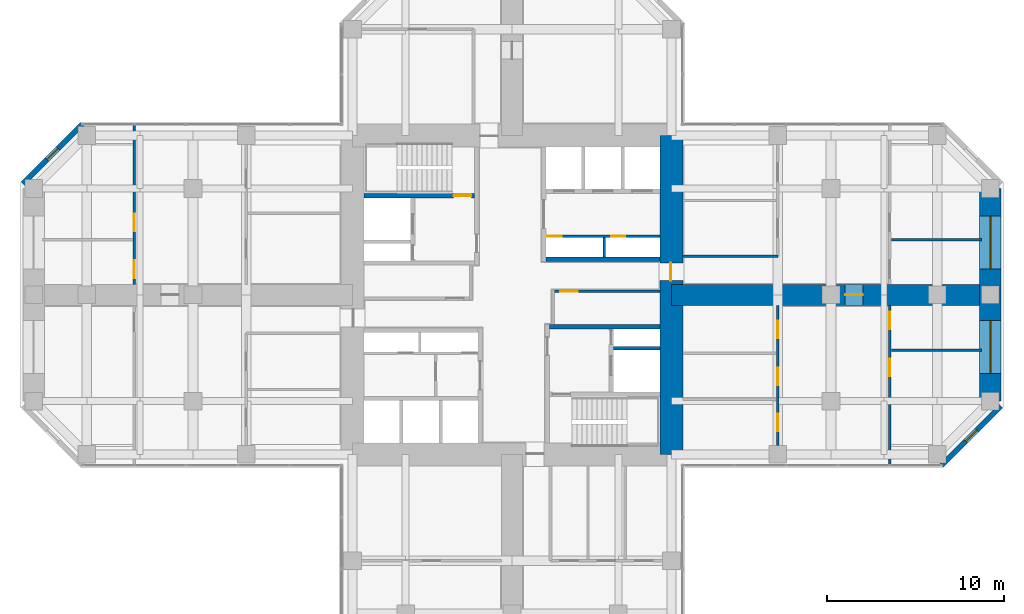
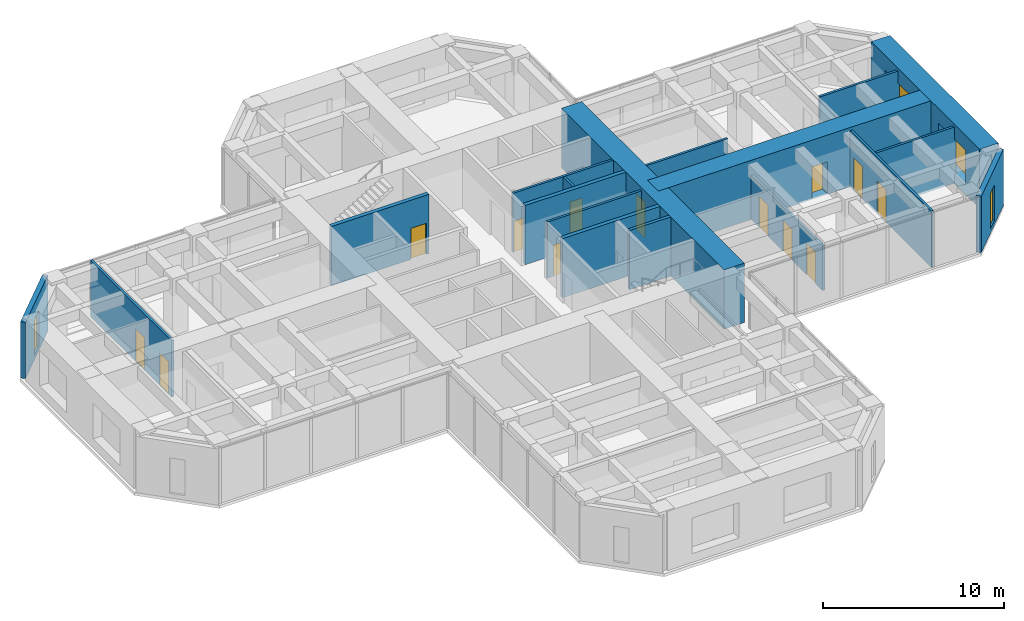
# One storey, part 10 of 13: 18 walls, 13 doors, 4 windows, 17 openings.
"""IFC4 building model written with IfcOpenShell, lengths in metres."""

import ifcopenshell
import ifcopenshell.guid

model = None  # the IFC model being written
_history = None  # IfcOwnerHistory: only IFC2X3 demands one
_inside = {}  # id of a spatial element -> (the spatial element, [elements in it])
_under = {}  # id of a project, library or spatial element -> (it, [spatial elements below it])
_declared = {}  # id of a project -> (the project, [libraries it declares])
_typed = {}  # id of a type object -> (the type object, [elements of that type])
_made_of = {}  # id of a material, layer set ... -> (it, [elements and type objects made of it])


def new_model(schema):
    """Start an empty IFC model of exactly this schema.

    Asked for "IFC4X3", IfcOpenShell would pick the latest addendum, in which some entities
    have other attributes; the version numbers below select the first issue.
    IFC2X3 requires an IfcOwnerHistory on every rooted entity: one is made here for all.
    """
    global model, _history
    if schema == "IFC4X3":
        model = ifcopenshell.file(schema_version=(4, 3, 0, 0))
    else:
        model = ifcopenshell.file(schema=schema)
    _inside.clear()
    _under.clear()
    _declared.clear()
    _typed.clear()
    _made_of.clear()
    _history = None
    if model.schema == "IFC2X3":
        org = make("IfcOrganization", Name="unknown")
        user = make(
            "IfcPersonAndOrganization",
            ThePerson=make("IfcPerson", FamilyName="unknown"),
            TheOrganization=org,
        )
        app = make(
            "IfcApplication",
            ApplicationDeveloper=org,
            Version="unknown",
            ApplicationFullName="unknown",
            ApplicationIdentifier="unknown",
        )
        _history = make(
            "IfcOwnerHistory",
            OwningUser=user,
            OwningApplication=app,
            ChangeAction="ADDED",
            CreationDate=0,
        )
    return model


def make(cls, **values):
    """One entity of the class cls with the attributes given. An attribute that is None is left unset."""
    return model.create_entity(
        cls, **{name: value for name, value in values.items() if value is not None}
    )


def rooted(cls, **values):
    """An entity with a GlobalId (a new one), such as an element, a storey or a relation."""
    return make(cls, GlobalId=ifcopenshell.guid.new(), OwnerHistory=_history, **values)


def si_unit(unit_type, name, prefix=None):
    """IfcSIUnit, for example si_unit("LENGTHUNIT", "METRE", prefix="MILLI")."""
    return make("IfcSIUnit", UnitType=unit_type, Prefix=prefix, Name=name)


def assignment(units):
    """IfcUnitAssignment: the units of a project."""
    return None if units is None else make("IfcUnitAssignment", Units=units)


def point(xyz):
    """IfcCartesianPoint."""
    return None if xyz is None else make("IfcCartesianPoint", Coordinates=xyz)


def direction(xyz):
    """IfcDirection."""
    return None if xyz is None else make("IfcDirection", DirectionRatios=xyz)


def frame(location, z_axis=None, x_axis=None):
    """IfcAxis2Placement3D, a coordinate frame: its origin and axes. An axis left out is left unset."""
    return make(
        "IfcAxis2Placement3D",
        Location=point(location),
        Axis=direction(z_axis),
        RefDirection=direction(x_axis),
    )


def frame_2d(location, x_axis=None):
    """IfcAxis2Placement2D, a coordinate frame in the plane: its origin and x axis."""
    return make(
        "IfcAxis2Placement2D", Location=point(location), RefDirection=direction(x_axis)
    )


def origin():
    """The frame at (0, 0, 0) with its axes left unset."""
    return frame((0.0, 0.0, 0.0))


def place(relative_to, where):
    """IfcLocalPlacement: puts the frame where relative to a parent placement (None: the world)."""
    return make(
        "IfcLocalPlacement", PlacementRelTo=relative_to, RelativePlacement=where
    )


def context(
    kind, dimensions, precision=None, world=None, true_north=None, identifier=None
):
    """IfcGeometricRepresentationContext, for example the 3D "Model" context."""
    return make(
        "IfcGeometricRepresentationContext",
        ContextIdentifier=identifier,
        ContextType=kind,
        CoordinateSpaceDimension=dimensions,
        Precision=precision,
        WorldCoordinateSystem=world,
        TrueNorth=true_north,
    )


def subcontext(parent, identifier, kind, view, scale=None):
    """IfcGeometricRepresentationSubContext, for example "Body" below "Model"."""
    return make(
        "IfcGeometricRepresentationSubContext",
        ContextIdentifier=identifier,
        ContextType=kind,
        ParentContext=parent,
        TargetScale=scale,
        TargetView=view,
    )


def project(units=None, contexts=None):
    """IfcProject with its units and contexts."""
    return rooted(
        "IfcProject",
        Name="project",
        RepresentationContexts=contexts,
        UnitsInContext=assignment(units),
    )


def spatial(cls, under=None, at=None, **own):
    """A site, building, storey or space (cls), placed at a placement, below another one or the project."""
    s = rooted(cls, ObjectPlacement=at, **own)
    if under is not None:
        _under.setdefault(under.id(), (under, []))[1].append(s)
    return s


def profile(cls, at=None, kind="AREA", **sizes):
    """A parametric profile (cls). Its sizes go by their IFC names, for example OverallWidth=200.0."""
    return make(cls, ProfileType=kind, Position=at, **sizes)


def rectangle(**sizes):
    """IfcRectangleProfileDef."""
    return profile("IfcRectangleProfileDef", **sizes)


def hollow_rectangle(**sizes):
    """IfcRectangleHollowProfileDef."""
    return profile("IfcRectangleHollowProfileDef", **sizes)


def extrude(swept, where, along, depth):
    """IfcExtrudedAreaSolid: the profile swept, set in the frame where, extruded along a direction by depth."""
    return make(
        "IfcExtrudedAreaSolid",
        SweptArea=swept,
        Position=where,
        ExtrudedDirection=direction(along),
        Depth=depth,
    )


def shape(context_of_items, identifier, shape_type, items):
    """IfcShapeRepresentation: the items that make up one representation, for example the "Body"."""
    return make(
        "IfcShapeRepresentation",
        ContextOfItems=context_of_items,
        RepresentationIdentifier=identifier,
        RepresentationType=shape_type,
        Items=items,
    )


def material(Name=None, Category=None):
    """IfcMaterial."""
    return make("IfcMaterial", Name=Name, Category=Category)


def layer(
    of_material, thickness, ventilated=None, Name=None, Category=None, Priority=None
):
    """IfcMaterialLayer: one layer of a wall or slab, of a material (None: an air gap)."""
    return make(
        "IfcMaterialLayer",
        Material=of_material,
        LayerThickness=thickness,
        IsVentilated=ventilated,
        Name=Name,
        Category=Category,
        Priority=Priority,
    )


def layer_set(layers, Name=None):
    """IfcMaterialLayerSet."""
    return make("IfcMaterialLayerSet", MaterialLayers=layers, LayerSetName=Name)


def constituent(of_material, Name=None, Category=None, fraction=None):
    """IfcMaterialConstituent: one of the materials an element consists of."""
    return make(
        "IfcMaterialConstituent",
        Name=Name,
        Material=of_material,
        Fraction=fraction,
        Category=Category,
    )


def constituent_set(constituents=None, Name=None):
    """IfcMaterialConstituentSet."""
    return make(
        "IfcMaterialConstituentSet", Name=Name, MaterialConstituents=constituents
    )


def made_of(thing, what):
    """Note that an element or type object is made of a material, layer set ...; save() writes the relation."""
    if what is not None:
        _made_of.setdefault(what.id(), (what, []))[1].append(thing)
    return thing


def type_object(cls, material=None, **own):
    """A type object (cls), such as IfcWallType, which elements share."""
    return made_of(rooted(cls, **own), material)


def element(
    cls,
    number,
    at=None,
    inside=None,
    cuts=None,
    type_object=None,
    material=None,
    context=None,
    identifier="Body",
    shape_type=None,
    held_by="IfcProductDefinitionShape",
    body=None,
    shapes=None,
    **own,
):
    """One element of the class cls, such as IfcWall. Its Tag is "e" and its number.

    at: its placement. inside: the storey or other place that contains it. cuts: it is an
    opening in that element (IfcRelVoidsElement). A single representation is given by context,
    identifier, shape_type and body (its items); several are given by shapes. held_by: the class
    of the entity that holds the representations. save() writes the other relations.
    """
    e = rooted(cls, Tag="e%d" % number, ObjectPlacement=at, **own)
    if body is not None:
        shapes = [shape(context, identifier, shape_type, body)]
    if shapes is not None:
        e.Representation = make(held_by, Representations=shapes)
    if inside is not None:
        _inside.setdefault(inside.id(), (inside, []))[1].append(e)
    if cuts is not None:
        rooted(
            "IfcRelVoidsElement", RelatingBuildingElement=cuts, RelatedOpeningElement=e
        )
    if type_object is not None:
        _typed.setdefault(type_object.id(), (type_object, []))[1].append(e)
    return made_of(e, material)


def fill(opening, filler):
    """IfcRelFillsElement: the door or window that sits in an opening."""
    return rooted(
        "IfcRelFillsElement",
        RelatingOpeningElement=opening,
        RelatedBuildingElement=filler,
    )


def aggregate(whole, parts):
    """IfcRelAggregates: a whole, such as a stair, and the parts it consists of."""
    return rooted("IfcRelAggregates", RelatingObject=whole, RelatedObjects=parts)


def save(model, path):
    """Write the relations noted so far, then the file.

    IfcRelAggregates (storeys below a building ...), IfcRelContainedInSpatialStructure (elements
    in a storey), IfcRelDefinesByType, IfcRelAssociatesMaterial and IfcRelDeclares: one each for
    every whole, place, type object, material and project.
    """
    for whole, parts in _under.values():
        aggregate(whole, parts)
    for where, things in _inside.values():
        rooted(
            "IfcRelContainedInSpatialStructure",
            RelatedElements=things,
            RelatingStructure=where,
        )
    for kind, things in _typed.values():
        rooted("IfcRelDefinesByType", RelatedObjects=things, RelatingType=kind)
    for what, things in _made_of.values():
        rooted("IfcRelAssociatesMaterial", RelatedObjects=things, RelatingMaterial=what)
    for by, libraries in _declared.values():
        rooted("IfcRelDeclares", RelatingContext=by, RelatedDefinitions=libraries)
    model.write(path)


model = new_model("IFC4")

# Units and contexts
model_context = context("Model", 3, precision=1e-05, world=origin(), true_north=direction((0.0, 1.0)))
body_context = subcontext(model_context, "Body", "Model", "MODEL_VIEW")
ifc_project = project(units=[si_unit("LENGTHUNIT", "METRE"), si_unit("AREAUNIT", "SQUARE_METRE"), si_unit("VOLUMEUNIT", "CUBIC_METRE"), si_unit("PLANEANGLEUNIT", "RADIAN"), si_unit("MASSUNIT", "GRAM", prefix="KILO")], contexts=[model_context])

# Site, building, storey
site_placement = place(None, origin())
site = spatial("IfcSite", under=ifc_project, at=site_placement, CompositionType="ELEMENT")
building_placement = place(site_placement, origin())
building = spatial("IfcBuilding", under=site, at=building_placement, Name="Torre Cruceta", CompositionType="ELEMENT")
storey_placement = place(building_placement, frame((0.0, 0.0, 128.5)))
storey = spatial("IfcBuildingStorey", under=building, at=storey_placement, Name="L31", CompositionType="ELEMENT", Elevation=128.5)

# Wall
ifc_material_1 = material(Name="Concrete G60 (fck 60 MPa)", Category="concrete")
ifc_layer_1 = layer(ifc_material_1, 0.25)
ifc_layer_set_1 = layer_set([ifc_layer_1], Name="Concrete G60 (fck 60 MPa)")
wall_type_1 = type_object("IfcWallType", Name="CORE INNER WALL 250 G60", PredefinedType="SHEAR", material=ifc_layer_set_1)
wall_1_placement = place(storey_placement, frame((1.925048828125, 2.0, 0.0), z_axis=(0.0, 0.0, 1.0), x_axis=(1.0, 0.0, 0.0)))
element("IfcWall", 1, at=wall_1_placement, inside=storey, type_object=wall_type_1, Name="CW4 L31 NE-CV", PredefinedType="SHEAR", context=body_context, shape_type="SweptSolid", body=[
    extrude(rectangle(XDim=6.425048828125, YDim=0.25, at=frame_2d((3.21240234375, 0.0))), origin(), (0.0, 0.0, 1.0), 4.0),
])

# Wall, opening, door
wall_2_placement = place(storey_placement, frame((-2.125, 5.60009765625, 0.0), z_axis=(0.0, 0.0, 1.0), x_axis=(-1.0, 0.0, 0.0)))
wall_2 = element("IfcWall", 2, at=wall_2_placement, inside=storey, type_object=wall_type_1, Name="CW4 L31 NW-SV", PredefinedType="SHEAR", context=body_context, shape_type="SweptSolid", body=[
    extrude(rectangle(XDim=6.22509765625, YDim=0.25, at=frame_2d((3.112548828125, 0.0))), origin(), (0.0, 0.0, 1.0), 4.0),
])
opening_1_placement = place(wall_2_placement, frame((0.175048828125, 0.0, 0.0)))
opening_1 = element("IfcOpeningElement", 3, at=opening_1_placement, cuts=wall_2, Name="Opening D3", PredefinedType="OPENING", context=body_context, shape_type="SweptSolid", body=[
    extrude(rectangle(XDim=1.0, YDim=2.10009765625, at=frame_2d((0.5, 1.050048828125))), frame((0.0, 0.135009765625, 0.0), z_axis=(0.0, -1.0, 0.0), x_axis=(1.0, 0.0, 0.0)), (0.0, 0.0, 1.0), 0.27001953125),
])
ifc_material_2 = material(Name="Steel DX51D", Category="steel")
ifc_constituent_1 = constituent(ifc_material_2, Name="Leaf and frame")
ifc_material_3 = material(Name="Polyester powder coating", Category="paint")
ifc_constituent_2 = constituent(ifc_material_3, Name="Finish")
ifc_constituent_set_1 = constituent_set(constituents=[ifc_constituent_1, ifc_constituent_2], Name="Steel fire door")
door_type_1 = type_object("IfcDoorType", Name="FIRE DOOR 1000X2100", OperationType="SINGLE_SWING_LEFT", PredefinedType="DOOR", material=ifc_constituent_set_1)
door_1_placement = place(opening_1_placement, frame((1.0, 0.0, 0.0), z_axis=(0.0, 0.0, 1.0), x_axis=(-1.0, 0.0, 0.0)))
door_1 = element("IfcDoor", 4, at=door_1_placement, inside=storey, type_object=door_type_1, Name="D3 L31 NW-STAIR", OperationType="SINGLE_SWING_RIGHT", OverallHeight=2.10009765625, OverallWidth=1.0, PredefinedType="DOOR", context=body_context, shape_type="SweptSolid", body=[
    extrude(rectangle(XDim=1.0, YDim=2.10009765625, at=frame_2d((0.5, 1.050048828125))), frame((0.0, 0.025146484375, 0.0), z_axis=(0.0, -1.0, 0.0), x_axis=(1.0, 0.0, 0.0)), (0.0, 0.0, 1.0), 0.050048828125),
])
fill(opening_1, door_1)

# Wall
wall_3_placement = place(storey_placement, frame((2.125, -1.800048828125, 0.0), z_axis=(0.0, 0.0, 1.0), x_axis=(1.0, 0.0, 0.0)))
element("IfcWall", 5, at=wall_3_placement, inside=storey, type_object=wall_type_1, Name="CW4 L31 SE-CV", PredefinedType="SHEAR", context=body_context, shape_type="SweptSolid", body=[
    extrude(rectangle(XDim=6.22509765625, YDim=0.25, at=frame_2d((3.112548828125, 0.0))), origin(), (0.0, 0.0, 1.0), 4.0),
])

# Wall, opening, door
ifc_material_4 = material(Name="Concrete G60 (fck 60 MPa)", Category="concrete")
ifc_layer_2 = layer(ifc_material_4, 1.300048828125)
ifc_layer_set_2 = layer_set([ifc_layer_2], Name="Concrete G60 (fck 60 MPa)")
wall_type_2 = type_object("IfcWallType", Name="CORE WALL 1300 G60", PredefinedType="SHEAR", material=ifc_layer_set_2)
wall_4_placement = place(storey_placement, frame((9.0, -9.0, 0.0), z_axis=(0.0, 0.0, 1.0), x_axis=(0.0, 1.0, 0.0)))
wall_4 = element("IfcWall", 6, at=wall_4_placement, inside=storey, type_object=wall_type_2, Name="CW1 L31 CW-E", PredefinedType="SHEAR", context=body_context, shape_type="SweptSolid", body=[
    extrude(rectangle(XDim=18.0, YDim=1.300048828125, at=frame_2d((9.0, 0.0))), origin(), (0.0, 0.0, 1.0), 4.0),
])
opening_2_placement = place(wall_4_placement, frame((9.800048828125, 0.0, 0.0)))
opening_2 = element("IfcOpeningElement", 7, at=opening_2_placement, cuts=wall_4, Name="Opening D4", PredefinedType="OPENING", context=body_context, shape_type="SweptSolid", body=[
    extrude(rectangle(XDim=1.0, YDim=2.39990234375, at=frame_2d((0.5, 1.199951171875))), frame((0.0, 0.659912109375, 0.0), z_axis=(0.0, -1.0, 0.0), x_axis=(1.0, 0.0, 0.0)), (0.0, 0.0, 1.0), 1.320068359375),
])
ifc_material_5 = material(Name="Steel DX51D", Category="steel")
ifc_constituent_3 = constituent(ifc_material_5, Name="Leaf and frame")
ifc_material_6 = material(Name="Polyester powder coating", Category="paint")
ifc_constituent_4 = constituent(ifc_material_6, Name="Finish")
ifc_constituent_set_2 = constituent_set(constituents=[ifc_constituent_3, ifc_constituent_4], Name="Steel fire door")
door_type_2 = type_object("IfcDoorType", Name="CORE ARM DOOR 1000X2400", OperationType="SINGLE_SWING_RIGHT", PredefinedType="DOOR", material=ifc_constituent_set_2)
door_2_placement = place(opening_2_placement, frame((1.0, 0.0, 0.0), z_axis=(0.0, 0.0, 1.0), x_axis=(-1.0, 0.0, 0.0)))
door_2 = element("IfcDoor", 8, at=door_2_placement, inside=storey, type_object=door_type_2, Name="D4 L31 CW-E", OperationType="SINGLE_SWING_RIGHT", OverallHeight=2.39990234375, OverallWidth=1.0, PredefinedType="DOOR", context=body_context, shape_type="SweptSolid", body=[
    extrude(rectangle(XDim=1.0, YDim=2.39990234375, at=frame_2d((0.5, 1.199951171875))), frame((0.0, -0.005126953125, 0.0), z_axis=(0.0, -1.0, 0.0), x_axis=(1.0, 0.0, 0.0)), (0.0, 0.0, 1.0), 0.050048828125),
])
fill(opening_2, door_2)

# Wall, opening, window
ifc_material_7 = material(Name="Concrete G30 (fck 30 MPa)", Category="concrete")
ifc_layer_3 = layer(ifc_material_7, 0.300048828125)
ifc_layer_set_3 = layer_set([ifc_layer_3], Name="Concrete G30 (fck 30 MPa)")
wall_type_3 = type_object("IfcWallType", Name="EXPOSED CONCRETE FACADE WALL 300", PredefinedType="SOLIDWALL", material=ifc_layer_set_3)
wall_5_placement = place(storey_placement, frame((24.2568359375, -9.6201171875, 0.0), z_axis=(0.0, 0.0, 1.0), x_axis=(0.707106781187, 0.707106781187, 0.0)))
wall_5 = element("IfcWall", 9, at=wall_5_placement, inside=storey, type_object=wall_type_3, Name="EW1 facade wall L31 E chamfer 01", PredefinedType="SOLIDWALL", context=body_context, shape_type="SweptSolid", body=[
    extrude(rectangle(XDim=4.72802734375, YDim=0.300048828125, at=frame_2d((2.364013671875, 0.0))), origin(), (0.0, 0.0, 1.0), 3.800048828125),
])
opening_3_placement = place(wall_5_placement, frame((1.9140625, 0.0, 0.300048828125)))
opening_3 = element("IfcOpeningElement", 10, at=opening_3_placement, cuts=wall_5, Name="Opening WN5", PredefinedType="OPENING", context=body_context, shape_type="SweptSolid", body=[
    extrude(rectangle(XDim=0.89990234375, YDim=2.39990234375, at=frame_2d((0.449951171875, 1.199951171875))), frame((0.0, 0.159912109375, 0.0), z_axis=(0.0, -1.0, 0.0), x_axis=(1.0, 0.0, 0.0)), (0.0, 0.0, 1.0), 0.320068359375),
])
ifc_material_8 = material(Name="Aluminium window frame", Category="aluminium")
ifc_constituent_5 = constituent(ifc_material_8, Name="Frame")
ifc_material_9 = material(Name="Laminated insulating glass unit, low-iron clear", Category="glass")
ifc_constituent_6 = constituent(ifc_material_9, Name="Glazing")
ifc_constituent_set_3 = constituent_set(constituents=[ifc_constituent_5, ifc_constituent_6], Name="Aluminium window")
window_type_1 = type_object("IfcWindowType", Name="CHAMFER SLOT WINDOW 900X2400", PartitioningType="SINGLE_PANEL", PredefinedType="WINDOW", material=ifc_constituent_set_3)
window_1_placement = place(opening_3_placement, origin())
window_1 = element("IfcWindow", 11, at=window_1_placement, inside=storey, type_object=window_type_1, Name="WN5 L31 E 1", OverallHeight=2.39990234375, OverallWidth=0.89990234375, PartitioningType="SINGLE_PANEL", PredefinedType="WINDOW", context=body_context, shape_type="SweptSolid", body=[
    extrude(hollow_rectangle(XDim=0.89990234375, YDim=2.39990234375, WallThickness=0.06005859375, at=frame_2d((0.449951171875, 1.199951171875))), frame((0.0, 0.030029296875, 0.0), z_axis=(0.0, -1.0, 0.0), x_axis=(1.0, 0.0, 0.0)), (0.0, 0.0, 1.0), 0.06005859375),
    extrude(rectangle(XDim=0.77880859375, YDim=2.27880859375, at=frame_2d((0.449951171875, 1.199951171875))), frame((0.0, 0.030029296875, 0.0), z_axis=(0.0, -1.0, 0.0), x_axis=(1.0, 0.0, 0.0)), (0.0, 0.0, 1.0), 0.06005859375),
])
fill(opening_3, window_1)

wall_6_placement = place(storey_placement, frame((-24.2568359375, 9.6201171875, 0.0), z_axis=(0.0, 0.0, 1.0), x_axis=(-0.707106781187, -0.707106781187, 0.0)))
wall_6 = element("IfcWall", 12, at=wall_6_placement, inside=storey, type_object=wall_type_3, Name="EW1 facade wall L31 W chamfer 11", PredefinedType="SOLIDWALL", context=body_context, shape_type="SweptSolid", body=[
    extrude(rectangle(XDim=4.72802734375, YDim=0.300048828125, at=frame_2d((2.364013671875, 0.0))), origin(), (0.0, 0.0, 1.0), 3.800048828125),
])
opening_4_placement = place(wall_6_placement, frame((1.9140625, 0.0, 0.300048828125)))
opening_4 = element("IfcOpeningElement", 13, at=opening_4_placement, cuts=wall_6, Name="Opening WN5", PredefinedType="OPENING", context=body_context, shape_type="SweptSolid", body=[
    extrude(rectangle(XDim=0.89990234375, YDim=2.39990234375, at=frame_2d((0.449951171875, 1.199951171875))), frame((0.0, 0.159912109375, 0.0), z_axis=(0.0, -1.0, 0.0), x_axis=(1.0, 0.0, 0.0)), (0.0, 0.0, 1.0), 0.320068359375),
])
window_2_placement = place(opening_4_placement, origin())
window_2 = element("IfcWindow", 14, at=window_2_placement, inside=storey, type_object=window_type_1, Name="WN5 L31 W 1", OverallHeight=2.39990234375, OverallWidth=0.89990234375, PartitioningType="SINGLE_PANEL", PredefinedType="WINDOW", context=body_context, shape_type="SweptSolid", body=[
    extrude(hollow_rectangle(XDim=0.89990234375, YDim=2.39990234375, WallThickness=0.06005859375, at=frame_2d((0.449951171875, 1.199951171875))), frame((0.0, 0.030029296875, 0.0), z_axis=(0.0, -1.0, 0.0), x_axis=(1.0, 0.0, 0.0)), (0.0, 0.0, 1.0), 0.06005859375),
    extrude(rectangle(XDim=0.77880859375, YDim=2.27880859375, at=frame_2d((0.449951171875, 1.199951171875))), frame((0.0, 0.030029296875, 0.0), z_axis=(0.0, -1.0, 0.0), x_axis=(1.0, 0.0, 0.0)), (0.0, 0.0, 1.0), 0.06005859375),
])
fill(opening_4, window_2)

# Wall
ifc_material_10 = material(Name="Concrete G35 (fck 35 MPa)", Category="concrete")
ifc_layer_4 = layer(ifc_material_10, 0.199951171875)
ifc_layer_set_4 = layer_set([ifc_layer_4], Name="Concrete G35 (fck 35 MPa)")
wall_type_4 = type_object("IfcWallType", Name="LIFT SHAFT WALL 200", PredefinedType="PARTITIONING", material=ifc_layer_set_4)
wall_7_placement = place(storey_placement, frame((5.72509765625, -3.0, 0.0), z_axis=(0.0, 0.0, 1.0), x_axis=(1.0, 0.0, 0.0)))
element("IfcWall", 15, at=wall_7_placement, inside=storey, type_object=wall_type_4, Name="SW1 L31 SE-FR", PredefinedType="PARTITIONING", context=body_context, shape_type="SweptSolid", body=[
    extrude(rectangle(XDim=2.625, YDim=0.199951171875, at=frame_2d((1.3125, 0.0))), origin(), (0.0, 0.0, 1.0), 4.0),
])

# Wall, openings, windows
ifc_material_11 = material(Name="Concrete G60 (fck 60 MPa)", Category="concrete")
ifc_layer_5 = layer(ifc_material_11, 1.199951171875)
ifc_layer_set_5 = layer_set([ifc_layer_5], Name="Concrete G60 (fck 60 MPa)")
wall_type_5 = type_object("IfcWallType", Name="NOSE WALL 1200 G60", PredefinedType="SHEAR", material=ifc_layer_set_5)
wall_8_placement = place(storey_placement, frame((27.0, -6.0, 0.0), z_axis=(0.0, 0.0, 1.0), x_axis=(0.0, 1.0, 0.0)))
wall_8 = element("IfcWall", 16, at=wall_8_placement, inside=storey, type_object=wall_type_5, Name="NW1 nose wall L31 E", PredefinedType="SHEAR", context=body_context, shape_type="SweptSolid", body=[
    extrude(rectangle(XDim=12.0, YDim=1.199951171875, at=frame_2d((6.0, 0.0))), origin(), (0.0, 0.0, 1.0), 4.0),
])
opening_5_placement = place(wall_8_placement, frame((1.550048828125, 0.0, 0.60009765625)))
opening_5 = element("IfcOpeningElement", 17, at=opening_5_placement, cuts=wall_8, Name="Opening WN6", PredefinedType="OPENING", context=body_context, shape_type="SweptSolid", body=[
    extrude(rectangle(XDim=3.0, YDim=2.39990234375, at=frame_2d((1.5, 1.199951171875))), frame((0.0, 0.60986328125, 0.0), z_axis=(0.0, -1.0, 0.0), x_axis=(1.0, 0.0, 0.0)), (0.0, 0.0, 1.0), 1.219970703125),
])
opening_6_placement = place(wall_8_placement, frame((7.449951171875, 0.0, 0.60009765625)))
opening_6 = element("IfcOpeningElement", 18, at=opening_6_placement, cuts=wall_8, Name="Opening WN6", PredefinedType="OPENING", context=body_context, shape_type="SweptSolid", body=[
    extrude(rectangle(XDim=3.0, YDim=2.39990234375, at=frame_2d((1.5, 1.199951171875))), frame((0.0, 0.60986328125, 0.0), z_axis=(0.0, -1.0, 0.0), x_axis=(1.0, 0.0, 0.0)), (0.0, 0.0, 1.0), 1.219970703125),
])
ifc_material_12 = material(Name="Aluminium window frame", Category="aluminium")
ifc_constituent_7 = constituent(ifc_material_12, Name="Frame")
ifc_material_13 = material(Name="Laminated insulating glass unit, low-iron clear", Category="glass")
ifc_constituent_8 = constituent(ifc_material_13, Name="Glazing")
ifc_constituent_set_4 = constituent_set(constituents=[ifc_constituent_7, ifc_constituent_8], Name="Aluminium window")
window_type_2 = type_object("IfcWindowType", Name="NOSE WALL WINDOW 3000X2400", PartitioningType="SINGLE_PANEL", PredefinedType="WINDOW", material=ifc_constituent_set_4)
window_3_placement = place(opening_5_placement, origin())
window_3 = element("IfcWindow", 19, at=window_3_placement, inside=storey, type_object=window_type_2, Name="WN6 L31 E 1", OverallHeight=2.39990234375, OverallWidth=3.0, PartitioningType="SINGLE_PANEL", PredefinedType="WINDOW", context=body_context, shape_type="SweptSolid", body=[
    extrude(hollow_rectangle(XDim=3.0, YDim=2.39990234375, WallThickness=0.06005859375, at=frame_2d((1.5, 1.199951171875))), frame((0.0, 0.030029296875, 0.0), z_axis=(0.0, -1.0, 0.0), x_axis=(1.0, 0.0, 0.0)), (0.0, 0.0, 1.0), 0.06005859375),
    extrude(rectangle(XDim=2.87890625, YDim=2.27880859375, at=frame_2d((1.5, 1.199951171875))), frame((0.0, 0.030029296875, 0.0), z_axis=(0.0, -1.0, 0.0), x_axis=(1.0, 0.0, 0.0)), (0.0, 0.0, 1.0), 0.06005859375),
])
fill(opening_5, window_3)
window_4_placement = place(opening_6_placement, origin())
window_4 = element("IfcWindow", 20, at=window_4_placement, inside=storey, type_object=window_type_2, Name="WN6 L31 E 2", OverallHeight=2.39990234375, OverallWidth=3.0, PartitioningType="SINGLE_PANEL", PredefinedType="WINDOW", context=body_context, shape_type="SweptSolid", body=[
    extrude(hollow_rectangle(XDim=3.0, YDim=2.39990234375, WallThickness=0.06005859375, at=frame_2d((1.5, 1.199951171875))), frame((0.0, 0.030029296875, 0.0), z_axis=(0.0, -1.0, 0.0), x_axis=(1.0, 0.0, 0.0)), (0.0, 0.0, 1.0), 0.06005859375),
    extrude(rectangle(XDim=2.87890625, YDim=2.27880859375, at=frame_2d((1.5, 1.199951171875))), frame((0.0, 0.030029296875, 0.0), z_axis=(0.0, -1.0, 0.0), x_axis=(1.0, 0.0, 0.0)), (0.0, 0.0, 1.0), 0.06005859375),
])
fill(opening_6, window_4)

# Wall, opening, door
ifc_material_14 = material(Name="Plasterboard on steel studs", Category="steel")
ifc_layer_6 = layer(ifc_material_14, 0.14990234375)
ifc_layer_set_6 = layer_set([ifc_layer_6], Name="Plasterboard on steel studs")
wall_type_6 = type_object("IfcWallType", Name="PARTITION 150", PredefinedType="PARTITIONING", material=ifc_layer_set_6)
wall_9_placement = place(storey_placement, frame((2.324951171875, 0.199951171875, 0.0), z_axis=(0.0, 0.0, 1.0), x_axis=(1.0, 0.0, 0.0)))
wall_9 = element("IfcWall", 21, at=wall_9_placement, inside=storey, type_object=wall_type_6, Name="PT1 L31-CORE-LEGE-S-W1", PredefinedType="PARTITIONING", context=body_context, shape_type="SweptSolid", body=[
    extrude(rectangle(XDim=6.025146484375, YDim=0.14990234375, at=frame_2d((3.0126953125, 0.0))), origin(), (0.0, 0.0, 1.0), 3.800048828125),
])
opening_7_placement = place(wall_9_placement, frame((0.39990234375, 0.0, 0.0)))
opening_7 = element("IfcOpeningElement", 22, at=opening_7_placement, cuts=wall_9, Name="Opening D3", PredefinedType="OPENING", context=body_context, shape_type="SweptSolid", body=[
    extrude(rectangle(XDim=1.0, YDim=2.10009765625, at=frame_2d((0.5, 1.050048828125))), frame((0.0, 0.0849609375, 0.0), z_axis=(0.0, -1.0, 0.0), x_axis=(1.0, 0.0, 0.0)), (0.0, 0.0, 1.0), 0.169921875),
])
door_3_placement = place(opening_7_placement, frame((1.0, 0.0, 0.0), z_axis=(0.0, 0.0, 1.0), x_axis=(-1.0, 0.0, 0.0)))
door_3 = element("IfcDoor", 23, at=door_3_placement, inside=storey, type_object=door_type_1, Name="D3 L31-CORE-LEGE-S-W1-D1", OperationType="SINGLE_SWING_RIGHT", OverallHeight=2.10009765625, OverallWidth=1.0, PredefinedType="DOOR", context=body_context, shape_type="SweptSolid", body=[
    extrude(rectangle(XDim=1.0, YDim=2.10009765625, at=frame_2d((0.5, 1.050048828125))), frame((0.0, 0.025146484375, 0.0), z_axis=(0.0, -1.0, 0.0), x_axis=(1.0, 0.0, 0.0)), (0.0, 0.0, 1.0), 0.050048828125),
])
fill(opening_7, door_3)

# Wall
wall_10_placement = place(storey_placement, frame((9.64990234375, 2.175048828125, 0.0), z_axis=(0.0, 0.0, 1.0), x_axis=(1.0, 0.0, 0.0)))
element("IfcWall", 24, at=wall_10_placement, inside=storey, type_object=wall_type_6, Name="PT1 L31-E-BSL", PredefinedType="PARTITIONING", context=body_context, shape_type="SweptSolid", body=[
    extrude(rectangle(XDim=5.35009765625, YDim=0.14990234375, at=frame_2d((2.675048828125, 0.0))), origin(), (0.0, 0.0, 1.0), 3.800048828125),
])

# Wall, openings, doors
wall_11_placement = place(storey_placement, frame((15.0, -8.5, 0.0), z_axis=(0.0, 0.0, 1.0), x_axis=(0.0, 1.0, 0.0)))
wall_11 = element("IfcWall", 25, at=wall_11_placement, inside=storey, type_object=wall_type_6, Name="PT1 L31-E-BFR", PredefinedType="PARTITIONING", context=body_context, shape_type="SweptSolid", body=[
    extrude(rectangle(XDim=7.89990234375, YDim=0.14990234375, at=frame_2d((3.949951171875, 0.0))), origin(), (0.0, 0.0, 1.0), 3.0),
])
opening_8_placement = place(wall_11_placement, frame((0.800048828125, 0.0, 0.0)))
opening_8 = element("IfcOpeningElement", 26, at=opening_8_placement, cuts=wall_11, Name="Opening D3", PredefinedType="OPENING", context=body_context, shape_type="SweptSolid", body=[
    extrude(rectangle(XDim=1.0, YDim=2.10009765625, at=frame_2d((0.5, 1.050048828125))), frame((0.0, 0.0849609375, 0.0), z_axis=(0.0, -1.0, 0.0), x_axis=(1.0, 0.0, 0.0)), (0.0, 0.0, 1.0), 0.169921875),
])
opening_9_placement = place(wall_11_placement, frame((3.39990234375, 0.0, 0.0)))
opening_9 = element("IfcOpeningElement", 27, at=opening_9_placement, cuts=wall_11, Name="Opening D3", PredefinedType="OPENING", context=body_context, shape_type="SweptSolid", body=[
    extrude(rectangle(XDim=1.0, YDim=2.10009765625, at=frame_2d((0.5, 1.050048828125))), frame((0.0, 0.0849609375, 0.0), z_axis=(0.0, -1.0, 0.0), x_axis=(1.0, 0.0, 0.0)), (0.0, 0.0, 1.0), 0.169921875),
])
opening_10_placement = place(wall_11_placement, frame((6.050048828125, 0.0, 0.0)))
opening_10 = element("IfcOpeningElement", 28, at=opening_10_placement, cuts=wall_11, Name="Opening D3", PredefinedType="OPENING", context=body_context, shape_type="SweptSolid", body=[
    extrude(rectangle(XDim=1.0, YDim=2.10009765625, at=frame_2d((0.5, 1.050048828125))), frame((0.0, 0.0849609375, 0.0), z_axis=(0.0, -1.0, 0.0), x_axis=(1.0, 0.0, 0.0)), (0.0, 0.0, 1.0), 0.169921875),
])
door_4_placement = place(opening_8_placement, origin())
door_4 = element("IfcDoor", 29, at=door_4_placement, inside=storey, type_object=door_type_1, Name="D3 L31-E-BFR-D1", OperationType="SINGLE_SWING_RIGHT", OverallHeight=2.10009765625, OverallWidth=1.0, PredefinedType="DOOR", context=body_context, shape_type="SweptSolid", body=[
    extrude(rectangle(XDim=1.0, YDim=2.10009765625, at=frame_2d((0.5, 1.050048828125))), frame((0.0, 0.02490234375, 0.0), z_axis=(0.0, -1.0, 0.0), x_axis=(1.0, 0.0, 0.0)), (0.0, 0.0, 1.0), 0.050048828125),
])
fill(opening_8, door_4)
door_5_placement = place(opening_9_placement, origin())
door_5 = element("IfcDoor", 30, at=door_5_placement, inside=storey, type_object=door_type_1, Name="D3 L31-E-BFR-D2", OperationType="SINGLE_SWING_LEFT", OverallHeight=2.10009765625, OverallWidth=1.0, PredefinedType="DOOR", context=body_context, shape_type="SweptSolid", body=[
    extrude(rectangle(XDim=1.0, YDim=2.10009765625, at=frame_2d((0.5, 1.050048828125))), frame((0.0, 0.02490234375, 0.0), z_axis=(0.0, -1.0, 0.0), x_axis=(1.0, 0.0, 0.0)), (0.0, 0.0, 1.0), 0.050048828125),
])
fill(opening_9, door_5)
door_6_placement = place(opening_10_placement, origin())
door_6 = element("IfcDoor", 31, at=door_6_placement, inside=storey, type_object=door_type_1, Name="D3 L31-E-BFR-D3", OperationType="SINGLE_SWING_LEFT", OverallHeight=2.10009765625, OverallWidth=1.0, PredefinedType="DOOR", context=body_context, shape_type="SweptSolid", body=[
    extrude(rectangle(XDim=1.0, YDim=2.10009765625, at=frame_2d((0.5, 1.050048828125))), frame((0.0, 0.02490234375, 0.0), z_axis=(0.0, -1.0, 0.0), x_axis=(1.0, 0.0, 0.0)), (0.0, 0.0, 1.0), 0.050048828125),
])
fill(opening_10, door_6)

# Walls
for number, where, z_axis, x_axis, name in (
    (32, (21.419921875, 3.117919921875, 0.0), (0.0, 0.0, 1.0), (1.0, 0.0, 0.0), "PT1 L31-E-TDL"),
    (33, (21.419921875, -3.117919921875, 0.0), (0.0, 0.0, 1.0), (1.0, 0.0, 0.0), "PT1 L31-E-TDR"),
):
    element("IfcWall", number, at=place(storey_placement, frame(where, z_axis=z_axis, x_axis=x_axis)), inside=storey, type_object=wall_type_6, Name=name, PredefinedType="PARTITIONING", context=body_context, shape_type="SweptSolid", body=[
        extrude(rectangle(XDim=5.080078125, YDim=0.14990234375, at=frame_2d((2.5400390625, 0.0))), origin(), (0.0, 0.0, 1.0), 3.800048828125),
    ])

# Wall, openings, doors
wall_12_placement = place(storey_placement, frame((21.320068359375, -9.580078125, 0.0), z_axis=(0.0, 0.0, 1.0), x_axis=(0.0, 1.0, 0.0)))
wall_12 = element("IfcWall", 34, at=wall_12_placement, inside=storey, type_object=wall_type_6, Name="PT1 L31-E-TWR", PredefinedType="PARTITIONING", context=body_context, shape_type="SweptSolid", body=[
    extrude(rectangle(XDim=8.97998046875, YDim=0.14990234375, at=frame_2d((4.489990234375, 0.0))), origin(), (0.0, 0.0, 1.0), 3.800048828125),
])
opening_11_placement = place(wall_12_placement, frame((4.987060546875, 0.0, 0.0)))
opening_11 = element("IfcOpeningElement", 35, at=opening_11_placement, cuts=wall_12, Name="Opening D14", PredefinedType="OPENING", context=body_context, shape_type="SweptSolid", body=[
    extrude(rectangle(XDim=1.0, YDim=2.199951171875, at=frame_2d((0.5, 1.10009765625))), frame((0.0, 0.0849609375, 0.0), z_axis=(0.0, -1.0, 0.0), x_axis=(1.0, 0.0, 0.0)), (0.0, 0.0, 1.0), 0.169921875),
])
opening_12_placement = place(wall_12_placement, frame((7.6298828125, 0.0, 0.0)))
opening_12 = element("IfcOpeningElement", 36, at=opening_12_placement, cuts=wall_12, Name="Opening D14", PredefinedType="OPENING", context=body_context, shape_type="SweptSolid", body=[
    extrude(rectangle(XDim=1.0, YDim=2.199951171875, at=frame_2d((0.5, 1.10009765625))), frame((0.0, 0.0849609375, 0.0), z_axis=(0.0, -1.0, 0.0), x_axis=(1.0, 0.0, 0.0)), (0.0, 0.0, 1.0), 0.169921875),
])
ifc_material_15 = material(Name="Steel DX51D", Category="steel")
ifc_constituent_9 = constituent(ifc_material_15, Name="Leaf and frame")
ifc_material_16 = material(Name="Polyester powder coating", Category="paint")
ifc_constituent_10 = constituent(ifc_material_16, Name="Finish")
ifc_material_17 = material(Name="Fire-resisting glass", Category="glass")
ifc_constituent_11 = constituent(ifc_material_17, Name="Vision panel")
ifc_constituent_set_5 = constituent_set(constituents=[ifc_constituent_9, ifc_constituent_10, ifc_constituent_11], Name="Steel fire door with vision panel")
door_type_3 = type_object("IfcDoorType", Name="FIRE DOOR VISION PANEL 1000X2200", OperationType="SINGLE_SWING_RIGHT", PredefinedType="DOOR", material=ifc_constituent_set_5)
door_7_placement = place(opening_11_placement, frame((1.0, 0.0, 0.0), z_axis=(0.0, 0.0, 1.0), x_axis=(-1.0, 0.0, 0.0)))
door_7 = element("IfcDoor", 37, at=door_7_placement, inside=storey, type_object=door_type_3, Name="D14 L31-E-TWR-D1", OperationType="SINGLE_SWING_LEFT", OverallHeight=2.199951171875, OverallWidth=1.0, PredefinedType="DOOR", context=body_context, shape_type="SweptSolid", body=[
    extrude(rectangle(XDim=1.0, YDim=2.199951171875, at=frame_2d((0.5, 1.10009765625))), frame((0.0, 0.025146484375, 0.0), z_axis=(0.0, -1.0, 0.0), x_axis=(1.0, 0.0, 0.0)), (0.0, 0.0, 1.0), 0.050048828125),
])
fill(opening_11, door_7)
door_8_placement = place(opening_12_placement, frame((1.0, 0.0, 0.0), z_axis=(0.0, 0.0, 1.0), x_axis=(-1.0, 0.0, 0.0)))
door_8 = element("IfcDoor", 38, at=door_8_placement, inside=storey, type_object=door_type_3, Name="D14 L31-E-TWR-D2", OperationType="SINGLE_SWING_LEFT", OverallHeight=2.199951171875, OverallWidth=1.0, PredefinedType="DOOR", context=body_context, shape_type="SweptSolid", body=[
    extrude(rectangle(XDim=1.0, YDim=2.199951171875, at=frame_2d((0.5, 1.10009765625))), frame((0.0, 0.025146484375, 0.0), z_axis=(0.0, -1.0, 0.0), x_axis=(1.0, 0.0, 0.0)), (0.0, 0.0, 1.0), 0.050048828125),
])
fill(opening_12, door_8)

wall_13_placement = place(storey_placement, frame((-21.320068359375, 9.580078125, 0.0), z_axis=(0.0, 0.0, 1.0), x_axis=(0.0, -1.0, 0.0)))
wall_13 = element("IfcWall", 39, at=wall_13_placement, inside=storey, type_object=wall_type_6, Name="PT1 L31-W-TWR", PredefinedType="PARTITIONING", context=body_context, shape_type="SweptSolid", body=[
    extrude(rectangle(XDim=8.97998046875, YDim=0.14990234375, at=frame_2d((4.489990234375, 0.0))), origin(), (0.0, 0.0, 1.0), 3.800048828125),
])
opening_13_placement = place(wall_13_placement, frame((4.987060546875, 0.0, 0.0)))
opening_13 = element("IfcOpeningElement", 40, at=opening_13_placement, cuts=wall_13, Name="Opening D14", PredefinedType="OPENING", context=body_context, shape_type="SweptSolid", body=[
    extrude(rectangle(XDim=1.0, YDim=2.199951171875, at=frame_2d((0.5, 1.10009765625))), frame((0.0, 0.0849609375, 0.0), z_axis=(0.0, -1.0, 0.0), x_axis=(1.0, 0.0, 0.0)), (0.0, 0.0, 1.0), 0.169921875),
])
opening_14_placement = place(wall_13_placement, frame((7.6298828125, 0.0, 0.0)))
opening_14 = element("IfcOpeningElement", 41, at=opening_14_placement, cuts=wall_13, Name="Opening D14", PredefinedType="OPENING", context=body_context, shape_type="SweptSolid", body=[
    extrude(rectangle(XDim=1.0, YDim=2.199951171875, at=frame_2d((0.5, 1.10009765625))), frame((0.0, 0.0849609375, 0.0), z_axis=(0.0, -1.0, 0.0), x_axis=(1.0, 0.0, 0.0)), (0.0, 0.0, 1.0), 0.169921875),
])
door_9_placement = place(opening_13_placement, frame((1.0, 0.0, 0.0), z_axis=(0.0, 0.0, 1.0), x_axis=(-1.0, 0.0, 0.0)))
door_9 = element("IfcDoor", 42, at=door_9_placement, inside=storey, type_object=door_type_3, Name="D14 L31-W-TWR-D1", OperationType="SINGLE_SWING_LEFT", OverallHeight=2.199951171875, OverallWidth=1.0, PredefinedType="DOOR", context=body_context, shape_type="SweptSolid", body=[
    extrude(rectangle(XDim=1.0, YDim=2.199951171875, at=frame_2d((0.5, 1.10009765625))), frame((0.0, 0.025146484375, 0.0), z_axis=(0.0, -1.0, 0.0), x_axis=(1.0, 0.0, 0.0)), (0.0, 0.0, 1.0), 0.050048828125),
])
fill(opening_13, door_9)
door_10_placement = place(opening_14_placement, frame((1.0, 0.0, 0.0), z_axis=(0.0, 0.0, 1.0), x_axis=(-1.0, 0.0, 0.0)))
door_10 = element("IfcDoor", 43, at=door_10_placement, inside=storey, type_object=door_type_3, Name="D14 L31-W-TWR-D2", OperationType="SINGLE_SWING_LEFT", OverallHeight=2.199951171875, OverallWidth=1.0, PredefinedType="DOOR", context=body_context, shape_type="SweptSolid", body=[
    extrude(rectangle(XDim=1.0, YDim=2.199951171875, at=frame_2d((0.5, 1.10009765625))), frame((0.0, 0.025146484375, 0.0), z_axis=(0.0, -1.0, 0.0), x_axis=(1.0, 0.0, 0.0)), (0.0, 0.0, 1.0), 0.050048828125),
])
fill(opening_14, door_10)

ifc_material_18 = material(Name="Concrete block masonry", Category="masonry")
ifc_layer_7 = layer(ifc_material_18, 0.14990234375)
ifc_layer_set_7 = layer_set([ifc_layer_7], Name="Concrete block masonry")
wall_type_7 = type_object("IfcWallType", Name="RISER WALL 150", PredefinedType="PARTITIONING", material=ifc_layer_set_7)
wall_14_placement = place(storey_placement, frame((1.925048828125, 3.300048828125, 0.0), z_axis=(0.0, 0.0, 1.0), x_axis=(1.0, 0.0, 0.0)))
wall_14 = element("IfcWall", 44, at=wall_14_placement, inside=storey, type_object=wall_type_7, Name="SW7 L31 NE-RV", PredefinedType="PARTITIONING", context=body_context, shape_type="SweptSolid", body=[
    extrude(rectangle(XDim=6.425048828125, YDim=0.14990234375, at=frame_2d((3.21240234375, 0.0))), origin(), (0.0, 0.0, 1.0), 4.0),
])
opening_15_placement = place(wall_14_placement, frame((0.074951171875, 0.0, 0.0)))
opening_15 = element("IfcOpeningElement", 45, at=opening_15_placement, cuts=wall_14, Name="Opening D5", PredefinedType="OPENING", context=body_context, shape_type="SweptSolid", body=[
    extrude(rectangle(XDim=0.800048828125, YDim=2.10009765625, at=frame_2d((0.39990234375, 1.050048828125))), frame((0.0, 0.0849609375, 0.0), z_axis=(0.0, -1.0, 0.0), x_axis=(1.0, 0.0, 0.0)), (0.0, 0.0, 1.0), 0.169921875),
])
opening_16_placement = place(wall_14_placement, frame((3.675048828125, 0.0, 0.0)))
opening_16 = element("IfcOpeningElement", 46, at=opening_16_placement, cuts=wall_14, Name="Opening D5", PredefinedType="OPENING", context=body_context, shape_type="SweptSolid", body=[
    extrude(rectangle(XDim=0.800048828125, YDim=2.10009765625, at=frame_2d((0.39990234375, 1.050048828125))), frame((0.0, 0.0849609375, 0.0), z_axis=(0.0, -1.0, 0.0), x_axis=(1.0, 0.0, 0.0)), (0.0, 0.0, 1.0), 0.169921875),
])
ifc_material_19 = material(Name="Steel DX51D", Category="steel")
ifc_constituent_12 = constituent(ifc_material_19, Name="Leaf and frame")
ifc_material_20 = material(Name="Polyester powder coating", Category="paint")
ifc_constituent_13 = constituent(ifc_material_20, Name="Finish")
ifc_constituent_set_6 = constituent_set(constituents=[ifc_constituent_12, ifc_constituent_13], Name="Steel fire door")
door_type_4 = type_object("IfcDoorType", Name="RISER ACCESS DOOR 800X2100", OperationType="SINGLE_SWING_LEFT", PredefinedType="DOOR", material=ifc_constituent_set_6)
door_11_placement = place(opening_15_placement, frame((0.800048828125, 0.0, 0.0), z_axis=(0.0, 0.0, 1.0), x_axis=(-1.0, 0.0, 0.0)))
door_11 = element("IfcDoor", 47, at=door_11_placement, inside=storey, type_object=door_type_4, Name="D5 L31 NE-RISER1", OperationType="SINGLE_SWING_RIGHT", OverallHeight=2.10009765625, OverallWidth=0.800048828125, PredefinedType="DOOR", context=body_context, shape_type="SweptSolid", body=[
    extrude(rectangle(XDim=0.800048828125, YDim=2.10009765625, at=frame_2d((0.400146484375, 1.050048828125))), frame((0.0, 0.025146484375, 0.0), z_axis=(0.0, -1.0, 0.0), x_axis=(1.0, 0.0, 0.0)), (0.0, 0.0, 1.0), 0.050048828125),
])
fill(opening_15, door_11)
door_12_placement = place(opening_16_placement, frame((0.800048828125, 0.0, 0.0), z_axis=(0.0, 0.0, 1.0), x_axis=(-1.0, 0.0, 0.0)))
door_12 = element("IfcDoor", 48, at=door_12_placement, inside=storey, type_object=door_type_4, Name="D5 L31 NE-RISER2", OperationType="SINGLE_SWING_RIGHT", OverallHeight=2.10009765625, OverallWidth=0.800048828125, PredefinedType="DOOR", context=body_context, shape_type="SweptSolid", body=[
    extrude(rectangle(XDim=0.800048828125, YDim=2.10009765625, at=frame_2d((0.400146484375, 1.050048828125))), frame((0.0, 0.025146484375, 0.0), z_axis=(0.0, -1.0, 0.0), x_axis=(1.0, 0.0, 0.0)), (0.0, 0.0, 1.0), 0.050048828125),
])
fill(opening_16, door_12)

# Wall
wall_15_placement = place(storey_placement, frame((5.199951171875, 2.125, 0.0), z_axis=(0.0, 0.0, 1.0), x_axis=(0.0, 1.0, 0.0)))
element("IfcWall", 49, at=wall_15_placement, inside=storey, type_object=wall_type_7, Name="SW7 L31 NE-RU", PredefinedType="PARTITIONING", context=body_context, shape_type="SweptSolid", body=[
    extrude(rectangle(XDim=1.10009765625, YDim=0.14990234375, at=frame_2d((0.550048828125, 0.0))), origin(), (0.0, 0.0, 1.0), 4.0),
])

# Wall, opening, door
ifc_material_21 = material(Name="Concrete G60 (fck 60 MPa)", Category="concrete")
ifc_layer_8 = layer(ifc_material_21, 1.199951171875)
ifc_layer_set_8 = layer_set([ifc_layer_8], Name="Concrete G60 (fck 60 MPa)")
wall_type_8 = type_object("IfcWallType", Name="SPINE WALL 1200 G60", PredefinedType="SHEAR", material=ifc_layer_set_8)
wall_16_placement = place(storey_placement, frame((9.0, 0.0, 0.0), z_axis=(0.0, 0.0, 1.0), x_axis=(1.0, 0.0, 0.0)))
wall_16 = element("IfcWall", 50, at=wall_16_placement, inside=storey, type_object=wall_type_8, Name="SW3 spine wall L31 E", PredefinedType="SHEAR", context=body_context, shape_type="SweptSolid", body=[
    extrude(rectangle(XDim=18.0, YDim=1.199951171875, at=frame_2d((9.0, 0.0))), origin(), (0.0, 0.0, 1.0), 4.0),
])
opening_17_placement = place(wall_16_placement, frame((9.800048828125, 0.0, 0.0)))
opening_17 = element("IfcOpeningElement", 51, at=opening_17_placement, cuts=wall_16, Name="Opening D14", PredefinedType="OPENING", context=body_context, shape_type="SweptSolid", body=[
    extrude(rectangle(XDim=1.0, YDim=2.199951171875, at=frame_2d((0.5, 1.10009765625))), frame((0.0, 0.60986328125, 0.0), z_axis=(0.0, -1.0, 0.0), x_axis=(1.0, 0.0, 0.0)), (0.0, 0.0, 1.0), 1.219970703125),
])
door_13_placement = place(opening_17_placement, frame((1.0, 0.0, 0.0), z_axis=(0.0, 0.0, 1.0), x_axis=(-1.0, 0.0, 0.0)))
door_13 = element("IfcDoor", 52, at=door_13_placement, inside=storey, type_object=door_type_3, Name="D14 L31-E-SP1", OperationType="SINGLE_SWING_LEFT", OverallHeight=2.199951171875, OverallWidth=1.0, PredefinedType="DOOR", context=body_context, shape_type="SweptSolid", body=[
    extrude(rectangle(XDim=1.0, YDim=2.199951171875, at=frame_2d((0.5, 1.10009765625))), frame((0.0, 0.025146484375, 0.0), z_axis=(0.0, -1.0, 0.0), x_axis=(1.0, 0.0, 0.0)), (0.0, 0.0, 1.0), 0.050048828125),
])
fill(opening_17, door_13)

save(model, "model.ifc")
